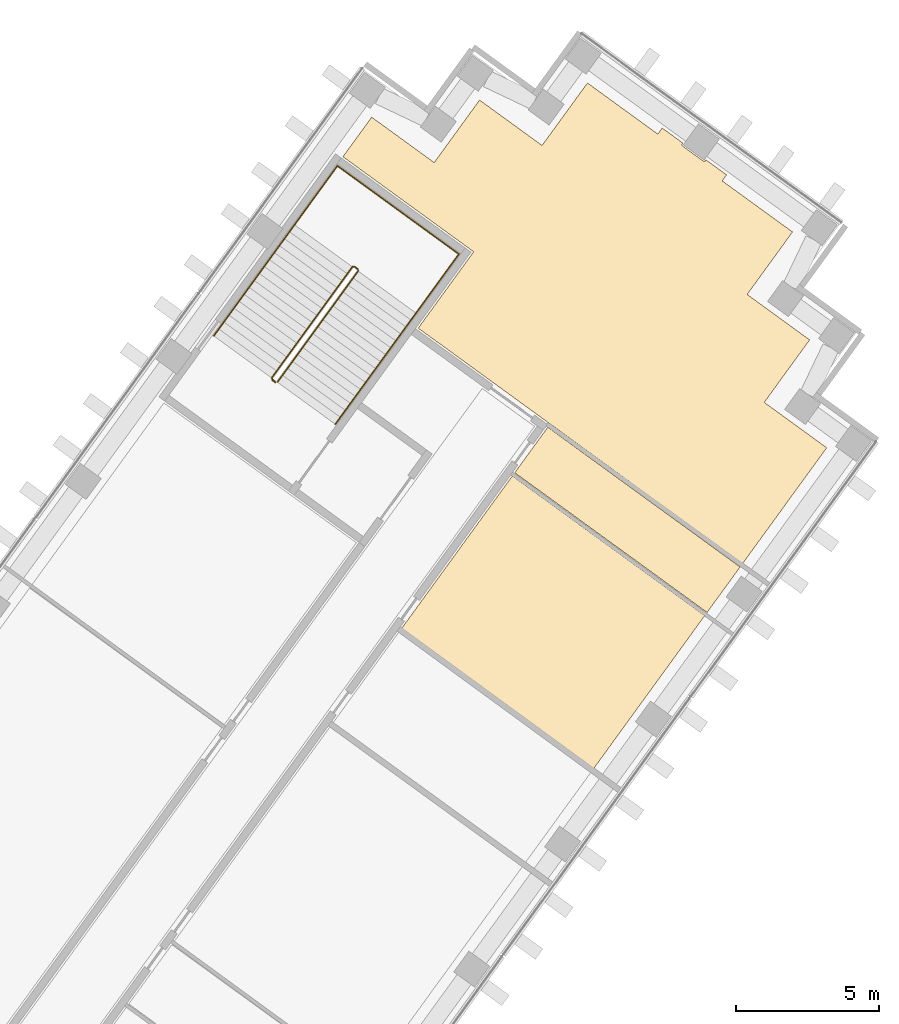
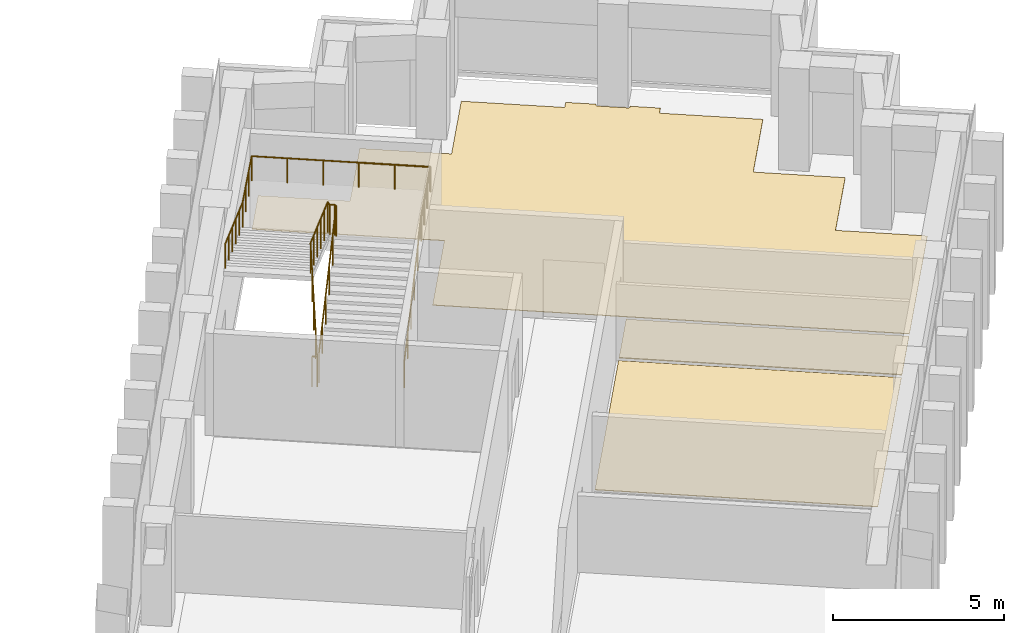
# One storey, part 15 of 15: 3 coverings, 2 railings.
"""IFC4 building model written with IfcOpenShell, lengths in metres."""

from ifc_helpers import new_model, si_unit, direction, frame, origin, origin_2d, place, context, subcontext, project, spatial, polyline, circle, outline, extrude, material, layer, layer_set, type_object, element, save


model = new_model("IFC4")

# Units and contexts
model_context = context("Model", 3, precision=1e-05, world=origin(), true_north=direction((0.0, 1.0)))
body_context = subcontext(model_context, "Body", "Model", "MODEL_VIEW")
ifc_project = project(units=[si_unit("LENGTHUNIT", "METRE"), si_unit("AREAUNIT", "SQUARE_METRE"), si_unit("VOLUMEUNIT", "CUBIC_METRE"), si_unit("PLANEANGLEUNIT", "RADIAN"), si_unit("MASSUNIT", "GRAM", prefix="KILO")], contexts=[model_context])

# Site, building, storey
site_placement = place(None, origin())
site = spatial("IfcSite", under=ifc_project, at=site_placement, CompositionType="ELEMENT")
building_placement = place(site_placement, origin())
building = spatial("IfcBuilding", under=site, at=building_placement, Name="Quipu Civic Tower", CompositionType="ELEMENT")
storey_placement = place(building_placement, frame((0.0, 0.0, 31.0)))
storey = spatial("IfcBuildingStorey", under=building, at=storey_placement, Name="L06", CompositionType="ELEMENT", Elevation=31.0)

# Coverings
ifc_material_1 = material(Name="Carpet tile on raised access floor")
ifc_layer_1 = layer(ifc_material_1, 0.02001953125)
ifc_layer_set_1 = layer_set([ifc_layer_1], Name="Carpet tile on raised access floor")
covering_type_1 = type_object("IfcCoveringType", Name="Carpet tile floor finish 20", PredefinedType="FLOORING", material=ifc_layer_set_1)
covering_1_placement = place(storey_placement, origin())
element("IfcCovering", 1, at=covering_1_placement, inside=storey, type_object=covering_type_1, Name="Carpet tile floor finish 20", PredefinedType="FLOORING", context=body_context, shape_type="SweptSolid", body=[
    extrude(outline(polyline([(38.60791015625, 23.02490234375), (42.491943359375, 28.373046875), (49.216064453125, 23.489013671875), (45.3310546875, 18.14111328125), (38.60791015625, 23.02490234375)])), origin(), (0.0, 0.0, 1.0), 0.02001953125),
])
covering_2_placement = place(storey_placement, origin())
element("IfcCovering", 2, at=covering_2_placement, inside=storey, type_object=covering_type_1, Name="Carpet tile floor finish 20", PredefinedType="FLOORING", context=body_context, shape_type="SweptSolid", body=[
    extrude(outline(polyline([(36.570068359375, 39.530029296875), (37.574951171875, 40.9130859375), (39.760009765625, 39.326904296875), (41.345947265625, 41.510986328125), (43.530029296875, 39.925048828125), (45.116943359375, 42.10791015625), (47.574951171875, 40.322021484375), (47.72900390625, 40.531982421875), (48.449951171875, 40.008056640625), (48.427001953125, 39.97705078125), (48.424072265625, 39.972900390625), (48.422119140625, 39.968017578125), (48.419921875, 39.964111328125), (48.4189453125, 39.958984375), (48.41796875, 39.9541015625), (48.4169921875, 39.948974609375), (48.4169921875, 39.944091796875), (48.41796875, 39.93994140625), (48.4189453125, 39.93505859375), (48.419921875, 39.929931640625), (48.422119140625, 39.926025390625), (48.425048828125, 39.9208984375), (48.427001953125, 39.9169921875), (48.430908203125, 39.9130859375), (48.43408203125, 39.909912109375), (48.43798828125, 39.906982421875), (49.166015625, 39.3779296875), (49.169921875, 39.375), (49.174072265625, 39.373046875), (49.178955078125, 39.37109375), (49.18408203125, 39.3701171875), (49.18896484375, 39.368896484375), (49.193115234375, 39.367919921875), (49.197998046875, 39.367919921875), (49.202880859375, 39.368896484375), (49.2080078125, 39.3701171875), (49.212890625, 39.37109375), (49.217041015625, 39.373046875), (49.220947265625, 39.3759765625), (49.22607421875, 39.3779296875), (49.22900390625, 39.382080078125), (49.23291015625, 39.385009765625), (49.236083984375, 39.388916015625), (49.259033203125, 39.4208984375), (49.97900390625, 38.89697265625), (49.826904296875, 38.68603515625), (52.284912109375, 36.90087890625), (50.698974609375, 34.717041015625), (52.883056640625, 33.12890625), (51.297119140625, 30.945068359375), (53.47998046875, 29.35791015625), (50.535888671875, 25.304931640625), (39.200927734375, 33.5390625), (41.139892578125, 36.208984375), (36.570068359375, 39.530029296875)])), origin(), (0.0, 0.0, 1.0), 0.02001953125),
])
ifc_material_2 = material(Name="Ceramic floor tile")
ifc_layer_2 = layer(ifc_material_2, 0.030029296875)
ifc_layer_set_2 = layer_set([ifc_layer_2], Name="Ceramic floor tile")
covering_type_2 = type_object("IfcCoveringType", Name="Ceramic tile floor finish 30", PredefinedType="FLOORING", material=ifc_layer_set_2)
covering_3_placement = place(storey_placement, origin())
element("IfcCovering", 3, at=covering_3_placement, inside=storey, type_object=covering_type_2, Name="Ceramic tile floor finish 30", PredefinedType="FLOORING", context=body_context, shape_type="SweptSolid", body=[
    extrude(outline(polyline([(42.574951171875, 28.486083984375), (43.72998046875, 30.075927734375), (50.452880859375, 25.19189453125), (49.299072265625, 23.60205078125), (42.574951171875, 28.486083984375)])), origin(), (0.0, 0.0, 1.0), 0.030029296875),
])

# Railings
ifc_material_3 = material(Name="Stainless steel", Category="steel")
railing_type_1 = type_object("IfcRailingType", Name="Stair guard 1100", PredefinedType="GUARDRAIL", material=ifc_material_3)
railing_1_placement = place(storey_placement, frame((34.28125, 31.650390625, 0.11767578125)))
element("IfcRailing", 4, at=railing_1_placement, inside=storey, type_object=railing_type_1, Name="Stair 7 guard", PredefinedType="GUARDRAIL", context=body_context, shape_type="SweptSolid", body=[
    extrude(circle(Radius=0.02392578125, at=origin_2d()), frame((0.0, 0.0, 1.076171875), z_axis=(0.54720100349, 0.753182689643, 0.365084781664), x_axis=(-0.809026317077, 0.587772420479, 0.0)), (0.0, 0.0, 1.0), 5.15576171875),
    extrude(circle(Radius=0.02392578125, at=origin_2d()), frame((2.8212890625, 3.88330078125, 2.95849609375), z_axis=(-0.155430446612, 0.987846838465, 0.0), x_axis=(-0.987846838465, -0.155430446612, 0.0)), (0.0, 0.0, 1.0), 0.07080078125),
    extrude(circle(Radius=0.02392578125, at=origin_2d()), frame((2.810302734375, 3.953125, 2.95849609375), z_axis=(-0.809649071907, 0.586914287065, 0.0), x_axis=(-0.586914287065, -0.809649071907, 0.0)), (0.0, 0.0, 1.0), 0.150146484375),
    extrude(circle(Radius=0.02392578125, at=origin_2d()), frame((2.688720703125, 4.041259765625, 2.95849609375), z_axis=(-0.508654480474, -0.080033047627, 0.857242865693), x_axis=(0.155430446612, -0.987846838465, 0.0)), (0.0, 0.0, 1.0), 0.13720703125),
    extrude(circle(Radius=0.02392578125, at=origin_2d()), frame((2.618896484375, 4.0302734375, 3.076171875), z_axis=(-0.54720100349, -0.753182689643, 0.365084781664), x_axis=(0.809026317077, -0.587772420479, 0.0)), (0.0, 0.0, 1.0), 5.15576171875),
    extrude(circle(Radius=0.02392578125, at=origin_2d()), frame((-0.202392578125, 0.14697265625, 4.95849609375), z_axis=(0.033037246672, -0.039437451286, -0.998675737048), x_axis=(0.766567769536, 0.642163417448, 0.0)), (0.0, 0.0, 1.0), 4.00537109375),
    extrude(circle(Radius=0.02392578125, at=origin_2d()), frame((-0.070068359375, -0.010986328125, 0.95849609375), z_axis=(-0.809087927272, 0.587687609145, 0.0), x_axis=(-0.587687609145, -0.809087927272, 0.0)), (0.0, 0.0, 1.0), 0.14990234375),
    extrude(circle(Radius=0.02099609375, at=origin_2d()), origin(), (0.0, 0.0, 1.0), 1.052001953125),
    extrude(circle(Radius=0.02099609375, at=origin_2d()), frame((0.564208984375, 0.776611328125, 0.37646484375)), (0.0, 0.0, 1.0), 1.052001953125),
    extrude(circle(Radius=0.02099609375, at=origin_2d()), frame((1.12841796875, 1.55322265625, 0.7529296875)), (0.0, 0.0, 1.0), 1.052001953125),
    extrude(circle(Radius=0.02099609375, at=origin_2d()), frame((1.69287109375, 2.330078125, 1.12939453125)), (0.0, 0.0, 1.0), 1.052001953125),
    extrude(circle(Radius=0.02099609375, at=origin_2d()), frame((2.257080078125, 3.106689453125, 1.505859375)), (0.0, 0.0, 1.0), 1.052001953125),
    extrude(circle(Radius=0.02099609375, at=origin_2d()), frame((2.8212890625, 3.88330078125, 1.88232421875)), (0.0, 0.0, 1.0), 1.052001953125),
    extrude(circle(Radius=0.02099609375, at=origin_2d()), frame((2.810302734375, 3.953125, 1.88232421875)), (0.0, 0.0, 1.0), 1.052001953125),
    extrude(circle(Radius=0.02099609375, at=origin_2d()), frame((2.688720703125, 4.041259765625, 1.88232421875)), (0.0, 0.0, 1.0), 1.052001953125),
    extrude(circle(Radius=0.02099609375, at=origin_2d()), frame((2.618896484375, 4.0302734375, 2.0)), (0.0, 0.0, 1.0), 1.052001953125),
    extrude(circle(Radius=0.02099609375, at=origin_2d()), frame((2.0546875, 3.253662109375, 2.37646484375)), (0.0, 0.0, 1.0), 1.052001953125),
    extrude(circle(Radius=0.02099609375, at=origin_2d()), frame((1.490478515625, 2.47705078125, 2.7529296875)), (0.0, 0.0, 1.0), 1.052001953125),
    extrude(circle(Radius=0.02099609375, at=origin_2d()), frame((0.926025390625, 1.7001953125, 3.12939453125)), (0.0, 0.0, 1.0), 1.052001953125),
    extrude(circle(Radius=0.02099609375, at=origin_2d()), frame((0.36181640625, 0.923583984375, 3.505859375)), (0.0, 0.0, 1.0), 1.052001953125),
    extrude(circle(Radius=0.02099609375, at=origin_2d()), frame((-0.202392578125, 0.14697265625, 3.88232421875)), (0.0, 0.0, 1.0), 1.052001953125),
    extrude(circle(Radius=0.02099609375, at=origin_2d()), frame((-0.16943359375, 0.107421875, 2.88232421875)), (0.0, 0.0, 1.0), 1.052001953125),
    extrude(circle(Radius=0.02099609375, at=origin_2d()), frame((-0.13623046875, 0.06787109375, 1.88232421875)), (0.0, 0.0, 1.0), 1.052001953125),
    extrude(circle(Radius=0.02099609375, at=origin_2d()), frame((-0.10302734375, 0.028564453125, 0.88232421875)), (0.0, 0.0, 1.0), 1.052001953125),
    extrude(circle(Radius=0.02099609375, at=origin_2d()), frame((-0.070068359375, -0.010986328125, -0.11767578125)), (0.0, 0.0, 1.0), 1.052001953125),
    extrude(circle(Radius=0.02099609375, at=origin_2d()), frame((-0.19140625, 0.0771484375, -0.11767578125)), (0.0, 0.0, 1.0), 1.052001953125),
])
ifc_material_4 = material(Name="Stainless steel", Category="steel")
railing_type_2 = type_object("IfcRailingType", Name="Stair handrail", PredefinedType="HANDRAIL", material=ifc_material_4)
railing_2_placement = place(storey_placement, frame((36.3037109375, 30.180908203125, 0.11767578125)))
element("IfcRailing", 5, at=railing_2_placement, inside=storey, type_object=railing_type_2, Name="Stair 7 handrail", PredefinedType="HANDRAIL", context=body_context, shape_type="SweptSolid", body=[
    extrude(circle(Radius=0.02392578125, at=origin_2d()), frame((0.0, 0.0, 0.8759765625), z_axis=(0.54720100349, 0.753182689643, 0.365084781664), x_axis=(-0.809026317077, 0.587772420479, 0.0)), (0.0, 0.0, 1.0), 5.15576171875),
    extrude(circle(Radius=0.02392578125, at=origin_2d()), frame((2.8212890625, 3.88330078125, 2.75830078125), z_axis=(0.587767432704, 0.809029940764, 0.0), x_axis=(-0.809029940764, 0.587767432704, 0.0)), (0.0, 0.0, 1.0), 2.550048828125),
    extrude(circle(Radius=0.02392578125, at=origin_2d()), frame((4.320068359375, 5.9462890625, 2.75830078125), z_axis=(-0.809009483706, 0.587795589702, 0.0), x_axis=(-0.587795589702, -0.809009483706, 0.0)), (0.0, 0.0, 1.0), 5.25),
    extrude(circle(Radius=0.02392578125, at=origin_2d()), frame((0.07275390625, 9.0322265625, 2.75830078125), z_axis=(-0.587142558822, -0.808169835812, 0.046099155132), x_axis=(0.809029940764, -0.587767432704, 0.0)), (0.0, 0.0, 1.0), 2.552734375),
    extrude(circle(Radius=0.02392578125, at=origin_2d()), frame((-1.426025390625, 6.96923828125, 2.8759765625), z_axis=(-0.54720100349, -0.753182689643, 0.365084781664), x_axis=(0.809026317077, -0.587772420479, 0.0)), (0.0, 0.0, 1.0), 5.15576171875),
    extrude(circle(Radius=0.02099609375, at=origin_2d()), origin(), (0.0, 0.0, 1.0), 0.851806640625),
    extrude(circle(Radius=0.02099609375, at=origin_2d()), frame((0.564208984375, 0.776611328125, 0.37646484375)), (0.0, 0.0, 1.0), 0.851806640625),
    extrude(circle(Radius=0.02099609375, at=origin_2d()), frame((1.12841796875, 1.55322265625, 0.7529296875)), (0.0, 0.0, 1.0), 0.851806640625),
    extrude(circle(Radius=0.02099609375, at=origin_2d()), frame((1.69287109375, 2.330078125, 1.12939453125)), (0.0, 0.0, 1.0), 0.851806640625),
    extrude(circle(Radius=0.02099609375, at=origin_2d()), frame((2.257080078125, 3.106689453125, 1.505859375)), (0.0, 0.0, 1.0), 0.851806640625),
    extrude(circle(Radius=0.02099609375, at=origin_2d()), frame((2.8212890625, 3.88330078125, 1.88232421875)), (0.0, 0.0, 1.0), 0.851806640625),
    extrude(circle(Radius=0.02099609375, at=origin_2d()), frame((3.32080078125, 4.571044921875, 1.88232421875)), (0.0, 0.0, 1.0), 0.851806640625),
    extrude(circle(Radius=0.02099609375, at=origin_2d()), frame((3.820556640625, 5.258544921875, 1.88232421875)), (0.0, 0.0, 1.0), 0.851806640625),
    extrude(circle(Radius=0.02099609375, at=origin_2d()), frame((4.320068359375, 5.9462890625, 1.88232421875)), (0.0, 0.0, 1.0), 0.851806640625),
    extrude(circle(Radius=0.02099609375, at=origin_2d()), frame((3.470703125, 6.5634765625, 1.88232421875)), (0.0, 0.0, 1.0), 0.851806640625),
    extrude(circle(Radius=0.02099609375, at=origin_2d()), frame((2.62109375, 7.1806640625, 1.88232421875)), (0.0, 0.0, 1.0), 0.851806640625),
    extrude(circle(Radius=0.02099609375, at=origin_2d()), frame((1.771728515625, 7.7978515625, 1.88232421875)), (0.0, 0.0, 1.0), 0.851806640625),
    extrude(circle(Radius=0.02099609375, at=origin_2d()), frame((0.922119140625, 8.4150390625, 1.88232421875)), (0.0, 0.0, 1.0), 0.851806640625),
    extrude(circle(Radius=0.02099609375, at=origin_2d()), frame((0.07275390625, 9.0322265625, 1.88232421875)), (0.0, 0.0, 1.0), 0.851806640625),
    extrude(circle(Radius=0.02099609375, at=origin_2d()), frame((-0.4267578125, 8.344482421875, 1.921630859375)), (0.0, 0.0, 1.0), 0.851806640625),
    extrude(circle(Radius=0.02099609375, at=origin_2d()), frame((-0.926513671875, 7.656982421875, 1.960693359375)), (0.0, 0.0, 1.0), 0.851806640625),
    extrude(circle(Radius=0.02099609375, at=origin_2d()), frame((-1.426025390625, 6.96923828125, 2.0)), (0.0, 0.0, 1.0), 0.851806640625),
    extrude(circle(Radius=0.02099609375, at=origin_2d()), frame((-1.990234375, 6.192626953125, 2.37646484375)), (0.0, 0.0, 1.0), 0.851806640625),
    extrude(circle(Radius=0.02099609375, at=origin_2d()), frame((-2.554443359375, 5.416015625, 2.7529296875)), (0.0, 0.0, 1.0), 0.851806640625),
    extrude(circle(Radius=0.02099609375, at=origin_2d()), frame((-3.118896484375, 4.63916015625, 3.12939453125)), (0.0, 0.0, 1.0), 0.851806640625),
    extrude(circle(Radius=0.02099609375, at=origin_2d()), frame((-3.68310546875, 3.862548828125, 3.505859375)), (0.0, 0.0, 1.0), 0.851806640625),
    extrude(circle(Radius=0.02099609375, at=origin_2d()), frame((-4.247314453125, 3.0859375, 3.88232421875)), (0.0, 0.0, 1.0), 0.851806640625),
])

save(model, "model.ifc")
